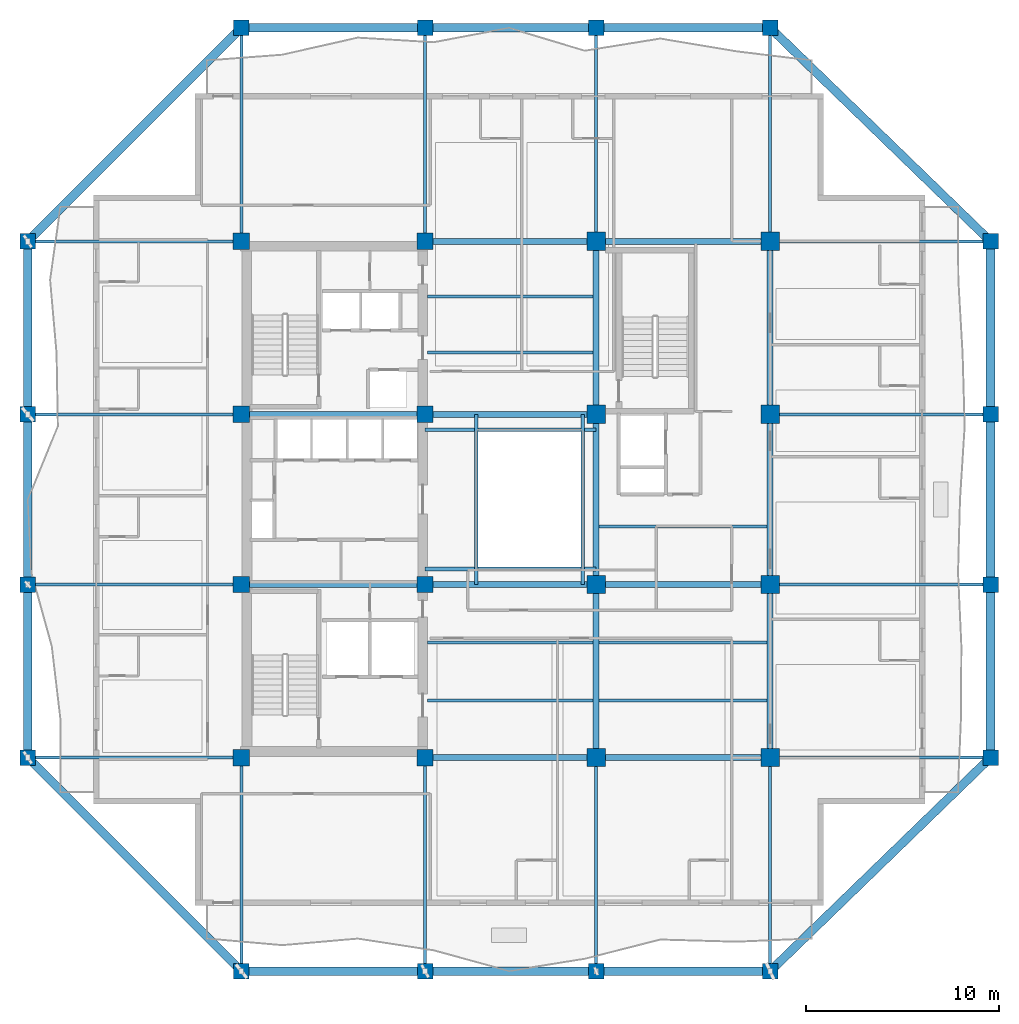
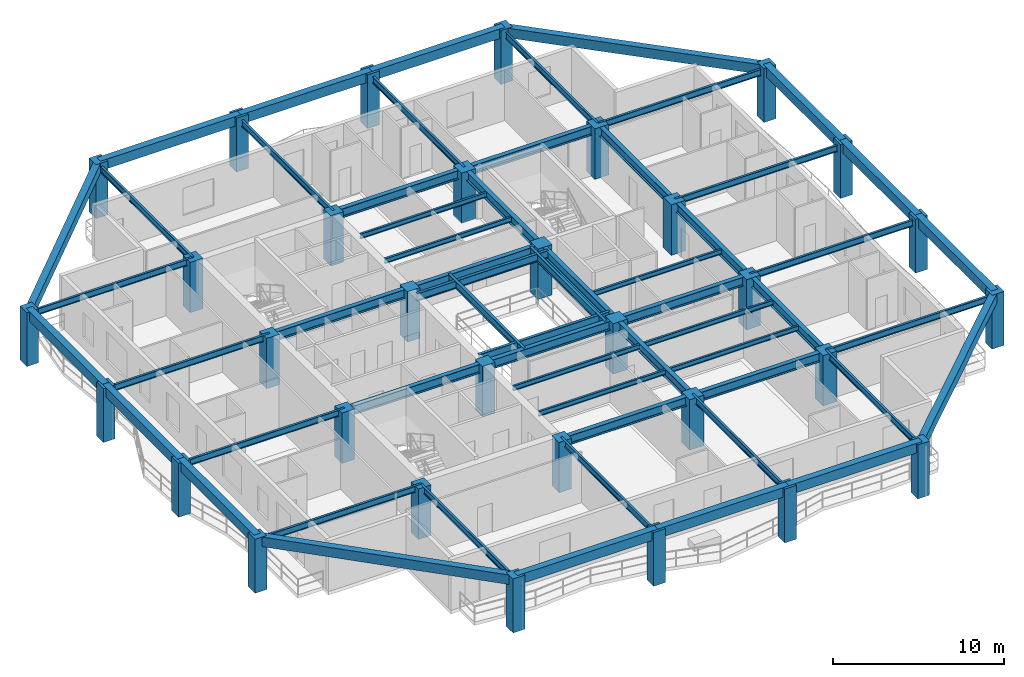
# One storey, part 1 of 13: 58 beams, 32 columns.
"""IFC4 building model written with IfcOpenShell, lengths in metres."""

from ifc_helpers import new_model, si_unit, direction, frame, origin, origin_2d, place, context, subcontext, project, spatial, rectangle, i_section, extrude, material, material_profile, profile_set, type_object, element, save


model = new_model("IFC4")

# Units and contexts
model_context = context("Model", 3, precision=1e-05, world=origin(), true_north=direction((0.0, 1.0)))
body_context = subcontext(model_context, "Body", "Model", "MODEL_VIEW")
ifc_project = project(units=[si_unit("LENGTHUNIT", "METRE"), si_unit("AREAUNIT", "SQUARE_METRE"), si_unit("VOLUMEUNIT", "CUBIC_METRE"), si_unit("PLANEANGLEUNIT", "RADIAN"), si_unit("MASSUNIT", "GRAM", prefix="KILO")], contexts=[model_context])

# Site, building, storey
site_placement = place(None, origin())
site = spatial("IfcSite", under=ifc_project, at=site_placement, CompositionType="ELEMENT")
building_placement = place(site_placement, origin())
building = spatial("IfcBuilding", under=site, at=building_placement, Name="Kundavana Baori Tower", CompositionType="ELEMENT")
storey_placement = place(building_placement, frame((0.0, 0.0, 165.60009765625)))
storey = spatial("IfcBuildingStorey", under=building, at=storey_placement, Name="L40", CompositionType="ELEMENT", Elevation=165.60009765625)

# Columns
ifc_material_1 = material(Name="Concrete C50/60", Category="concrete")
ifc_material_profile_1 = material_profile(ifc_material_1, rectangle(XDim=0.800048828125, YDim=0.800048828125, at=origin_2d()), Name="RC PF 800x800")
ifc_profile_set_1 = profile_set([ifc_material_profile_1], Name="Concrete C50/60")
column_type_1 = type_object("IfcColumnType", Name="COL-PF-800", PredefinedType="COLUMN", material=ifc_profile_set_1)
for number, where, z_axis, x_axis, name in (
    (1, (15.449951171875, 4.199951171875, 0.0), (0.0, 0.0, 1.0), (1.0, 0.0, 0.0), "L40 Stone-Clad Perimeter Frame Column PF-S1"),
    (2, (15.449951171875, 53.0, 0.0), (0.0, 0.0, 1.0), (1.0, 0.0, 0.0), "L40 Stone-Clad Perimeter Frame Column PF-N1"),
    (3, (24.949951171875, 4.199951171875, 0.0), (0.0, 0.0, 1.0), (1.0, 0.0, 0.0), "L40 Stone-Clad Perimeter Frame Column PF-S2"),
    (4, (24.949951171875, 53.0, 0.0), (0.0, 0.0, 1.0), (1.0, 0.0, 0.0), "L40 Stone-Clad Perimeter Frame Column PF-N2"),
    (5, (33.800048828125, 4.199951171875, 0.0), (0.0, 0.0, 1.0), (1.0, 0.0, 0.0), "L40 Stone-Clad Perimeter Frame Column PF-S3"),
    (6, (33.800048828125, 53.0, 0.0), (0.0, 0.0, 1.0), (1.0, 0.0, 0.0), "L40 Stone-Clad Perimeter Frame Column PF-N3"),
    (7, (42.800048828125, 4.199951171875, 0.0), (0.0, 0.0, 1.0), (1.0, 0.0, 0.0), "L40 Stone-Clad Perimeter Frame Column PF-S4"),
    (8, (42.800048828125, 53.0, 0.0), (0.0, 0.0, 1.0), (1.0, 0.0, 0.0), "L40 Stone-Clad Perimeter Frame Column PF-N4"),
    (9, (4.39990234375, 15.25, 0.0), (0.0, 0.0, 1.0), (1.0, 0.0, 0.0), "L40 Stone-Clad Perimeter Frame Column PF-W1"),
    (10, (54.199951171875, 15.25, 0.0), (0.0, 0.0, 1.0), (1.0, 0.0, 0.0), "L40 Stone-Clad Perimeter Frame Column PF-E1"),
    (11, (4.39990234375, 24.199951171875, 0.0), (0.0, 0.0, 1.0), (1.0, 0.0, 0.0), "L40 Stone-Clad Perimeter Frame Column PF-W2"),
    (12, (54.199951171875, 24.199951171875, 0.0), (0.0, 0.0, 1.0), (1.0, 0.0, 0.0), "L40 Stone-Clad Perimeter Frame Column PF-E2"),
    (13, (4.39990234375, 33.0, 0.0), (0.0, 0.0, 1.0), (1.0, 0.0, 0.0), "L40 Stone-Clad Perimeter Frame Column PF-W3"),
    (14, (54.199951171875, 33.0, 0.0), (0.0, 0.0, 1.0), (1.0, 0.0, 0.0), "L40 Stone-Clad Perimeter Frame Column PF-E3"),
    (15, (4.39990234375, 41.949951171875, 0.0), (0.0, 0.0, 1.0), (1.0, 0.0, 0.0), "L40 Stone-Clad Perimeter Frame Column PF-W4"),
    (16, (54.199951171875, 41.949951171875, 0.0), (0.0, 0.0, 1.0), (1.0, 0.0, 0.0), "L40 Stone-Clad Perimeter Frame Column PF-E4"),
):
    element("IfcColumn", number, at=place(storey_placement, frame(where, z_axis=z_axis, x_axis=x_axis)), inside=storey, type_object=column_type_1, Name=name, PredefinedType="COLUMN", context=body_context, shape_type="SweptSolid", body=[
        extrude(rectangle(XDim=0.800048828125, YDim=0.800048828125, at=origin_2d()), origin(), (0.0, 0.0, 1.0), 3.849853515625),
    ])
ifc_material_2 = material(Name="Concrete C50/60", Category="concrete")
ifc_material_profile_2 = material_profile(ifc_material_2, rectangle(XDim=0.85009765625, YDim=0.85009765625, at=origin_2d()), Name="RC 850x850")
ifc_profile_set_2 = profile_set([ifc_material_profile_2], Name="Concrete C50/60")
column_type_2 = type_object("IfcColumnType", Name="COL-RC-850", PredefinedType="COLUMN", material=ifc_profile_set_2)
for number, where, z_axis, x_axis, name in (
    (17, (15.449951171875, 15.25, 0.0), (0.0, 0.0, 1.0), (1.0, 0.0, 0.0), "L40 Interior Column IC-3C"),
    (18, (15.449951171875, 24.199951171875, 0.0), (0.0, 0.0, 1.0), (1.0, 0.0, 0.0), "L40 Interior Column IC-3D"),
    (19, (15.449951171875, 33.0, 0.0), (0.0, 0.0, 1.0), (1.0, 0.0, 0.0), "L40 Interior Column IC-3E"),
    (20, (15.449951171875, 41.949951171875, 0.0), (0.0, 0.0, 1.0), (1.0, 0.0, 0.0), "L40 Interior Column IC-3F"),
    (21, (24.949951171875, 15.25, 0.0), (0.0, 0.0, 1.0), (1.0, 0.0, 0.0), "L40 Interior Column IC-4C"),
    (22, (24.949951171875, 24.199951171875, 0.0), (0.0, 0.0, 1.0), (1.0, 0.0, 0.0), "L40 Interior Column IC-4D"),
    (23, (24.949951171875, 33.0, 0.0), (0.0, 0.0, 1.0), (1.0, 0.0, 0.0), "L40 Interior Column IC-4E"),
    (24, (24.949951171875, 41.949951171875, 0.0), (0.0, 0.0, 1.0), (1.0, 0.0, 0.0), "L40 Interior Column IC-4F"),
):
    element("IfcColumn", number, at=place(storey_placement, frame(where, z_axis=z_axis, x_axis=x_axis)), inside=storey, type_object=column_type_2, Name=name, PredefinedType="COLUMN", context=body_context, shape_type="SweptSolid", body=[
        extrude(rectangle(XDim=0.85009765625, YDim=0.85009765625, at=origin_2d()), origin(), (0.0, 0.0, 1.0), 3.599853515625),
    ])
ifc_material_3 = material(Name="Concrete C50/60", Category="concrete")
ifc_material_profile_3 = material_profile(ifc_material_3, rectangle(XDim=0.949951171875, YDim=0.949951171875, at=origin_2d()), Name="RC 950x950")
ifc_profile_set_3 = profile_set([ifc_material_profile_3], Name="Concrete C50/60")
column_type_3 = type_object("IfcColumnType", Name="COL-RC-950", PredefinedType="COLUMN", material=ifc_profile_set_3)
for number, where, z_axis, x_axis, name in (
    (25, (33.800048828125, 15.25, 0.0), (0.0, 0.0, 1.0), (1.0, 0.0, 0.0), "L40 Interior Column IC-5C"),
    (26, (33.800048828125, 24.199951171875, 0.0), (0.0, 0.0, 1.0), (1.0, 0.0, 0.0), "L40 Interior Column IC-5D"),
    (27, (33.800048828125, 33.0, 0.0), (0.0, 0.0, 1.0), (1.0, 0.0, 0.0), "L40 Interior Column IC-5E"),
    (28, (33.800048828125, 41.949951171875, 0.0), (0.0, 0.0, 1.0), (1.0, 0.0, 0.0), "L40 Interior Column IC-5F"),
    (29, (42.800048828125, 15.25, 0.0), (0.0, 0.0, 1.0), (1.0, 0.0, 0.0), "L40 Interior Column IC-6C"),
    (30, (42.800048828125, 24.199951171875, 0.0), (0.0, 0.0, 1.0), (1.0, 0.0, 0.0), "L40 Interior Column IC-6D"),
    (31, (42.800048828125, 33.0, 0.0), (0.0, 0.0, 1.0), (1.0, 0.0, 0.0), "L40 Interior Column IC-6E"),
    (32, (42.800048828125, 41.949951171875, 0.0), (0.0, 0.0, 1.0), (1.0, 0.0, 0.0), "L40 Interior Column IC-6F"),
):
    element("IfcColumn", number, at=place(storey_placement, frame(where, z_axis=z_axis, x_axis=x_axis)), inside=storey, type_object=column_type_3, Name=name, PredefinedType="COLUMN", context=body_context, shape_type="SweptSolid", body=[
        extrude(rectangle(XDim=0.949951171875, YDim=0.949951171875, at=origin_2d()), origin(), (0.0, 0.0, 1.0), 3.599853515625),
    ])

# Beams
ifc_material_4 = material(Name="Structural Steel S355JR", Category="steel")
ifc_material_profile_4 = material_profile(ifc_material_4, i_section(OverallWidth=0.139892578125, OverallDepth=0.35009765625, WebThickness=0.008056640625, FlangeThickness=0.01416015625, FilletRadius=0.013916015625, at=origin_2d()), Name="ISMB 350")
ifc_profile_set_4 = profile_set([ifc_material_profile_4], Name="Structural Steel S355JR")
beam_type_1 = type_object("IfcBeamType", Name="BM-JST-350", PredefinedType="JOIST", material=ifc_profile_set_4)
for number, where, z_axis, x_axis, name in (
    (33, (25.080078125, 18.199951171875, 3.4248046875), (1.0, 0.0, 0.0), (0.0, 1.0, 0.0), "L40 Central Bay Composite Floor Joist C1"),
    (34, (25.080078125, 21.199951171875, 3.4248046875), (1.0, 0.0, 0.0), (0.0, 1.0, 0.0), "L40 Central Bay Composite Floor Joist C2"),
    (35, (25.080078125, 36.199951171875, 3.4248046875), (1.0, 0.0, 0.0), (0.0, 1.0, 0.0), "L40 Central Bay Composite Floor Joist C3"),
    (36, (25.080078125, 39.10009765625, 3.4248046875), (1.0, 0.0, 0.0), (0.0, 1.0, 0.0), "L40 Central Bay Composite Floor Joist C4"),
):
    element("IfcBeam", number, at=place(storey_placement, frame(where, z_axis=z_axis, x_axis=x_axis)), inside=storey, type_object=beam_type_1, Name=name, PredefinedType="JOIST", context=body_context, shape_type="SweptSolid", body=[
        extrude(i_section(OverallWidth=0.139892578125, OverallDepth=0.35009765625, WebThickness=0.008056640625, FlangeThickness=0.01416015625, FilletRadius=0.013916015625, at=origin_2d()), origin(), (0.0, 0.0, 1.0), 8.56982421875),
    ])
for number, where, z_axis, x_axis, name in (
    (37, (33.949951171875, 18.199951171875, 3.4248046875), (1.0, 0.0, 0.0), (0.0, 1.0, 0.0), "L40 East Bay Composite Floor Joist E1"),
    (38, (33.949951171875, 21.199951171875, 3.4248046875), (1.0, 0.0, 0.0), (0.0, 1.0, 0.0), "L40 East Bay Composite Floor Joist E2"),
    (39, (33.949951171875, 27.199951171875, 3.4248046875), (1.0, 0.0, 0.0), (0.0, 1.0, 0.0), "L40 East Bay Composite Floor Joist E3"),
):
    element("IfcBeam", number, at=place(storey_placement, frame(where, z_axis=z_axis, x_axis=x_axis)), inside=storey, type_object=beam_type_1, Name=name, PredefinedType="JOIST", context=body_context, shape_type="SweptSolid", body=[
        extrude(i_section(OverallWidth=0.139892578125, OverallDepth=0.35009765625, WebThickness=0.008056640625, FlangeThickness=0.01416015625, FilletRadius=0.013916015625, at=origin_2d()), origin(), (0.0, 0.0, 1.0), 8.699951171875),
    ])
ifc_material_5 = material(Name="Concrete C50/60", Category="concrete")
ifc_material_profile_5 = material_profile(ifc_material_5, rectangle(XDim=0.449951171875, YDim=0.679931640625, at=origin_2d()), Name="RC BM 450x680")
ifc_profile_set_5 = profile_set([ifc_material_profile_5], Name="Concrete C50/60")
beam_type_2 = type_object("IfcBeamType", Name="BM-PF-680", PredefinedType="SPANDREL", material=ifc_profile_set_5)
beam_1_placement = place(storey_placement, frame((15.449951171875, 4.199951171875, 3.510009765625), z_axis=(1.0, 0.0, 0.0), x_axis=(0.0, 1.0, 0.0)))
element("IfcBeam", 40, at=beam_1_placement, inside=storey, type_object=beam_type_2, Name="L40 Perimeter Frame Ring Beam S1", PredefinedType="SPANDREL", context=body_context, shape_type="SweptSolid", body=[
    extrude(rectangle(XDim=0.449951171875, YDim=0.679931640625, at=origin_2d()), origin(), (0.0, 0.0, 1.0), 9.5),
])
beam_2_placement = place(storey_placement, frame((24.949951171875, 4.199951171875, 3.510009765625), z_axis=(1.0, 0.0, 0.0), x_axis=(0.0, 1.0, 0.0)))
element("IfcBeam", 41, at=beam_2_placement, inside=storey, type_object=beam_type_2, Name="L40 Perimeter Frame Ring Beam S2", PredefinedType="SPANDREL", context=body_context, shape_type="SweptSolid", body=[
    extrude(rectangle(XDim=0.449951171875, YDim=0.679931640625, at=origin_2d()), origin(), (0.0, 0.0, 1.0), 8.85009765625),
])
beam_3_placement = place(storey_placement, frame((33.800048828125, 4.199951171875, 3.510009765625), z_axis=(1.0, 0.0, 0.0), x_axis=(0.0, 1.0, 0.0)))
element("IfcBeam", 42, at=beam_3_placement, inside=storey, type_object=beam_type_2, Name="L40 Perimeter Frame Ring Beam S3", PredefinedType="SPANDREL", context=body_context, shape_type="SweptSolid", body=[
    extrude(rectangle(XDim=0.449951171875, YDim=0.679931640625, at=origin_2d()), origin(), (0.0, 0.0, 1.0), 9.0),
])
beam_4_placement = place(storey_placement, frame((15.449951171875, 53.0, 3.510009765625), z_axis=(1.0, 0.0, 0.0), x_axis=(0.0, 1.0, 0.0)))
element("IfcBeam", 43, at=beam_4_placement, inside=storey, type_object=beam_type_2, Name="L40 Perimeter Frame Ring Beam N1", PredefinedType="SPANDREL", context=body_context, shape_type="SweptSolid", body=[
    extrude(rectangle(XDim=0.449951171875, YDim=0.679931640625, at=origin_2d()), origin(), (0.0, 0.0, 1.0), 9.5),
])
beam_5_placement = place(storey_placement, frame((24.949951171875, 53.0, 3.510009765625), z_axis=(1.0, 0.0, 0.0), x_axis=(0.0, 1.0, 0.0)))
element("IfcBeam", 44, at=beam_5_placement, inside=storey, type_object=beam_type_2, Name="L40 Perimeter Frame Ring Beam N2", PredefinedType="SPANDREL", context=body_context, shape_type="SweptSolid", body=[
    extrude(rectangle(XDim=0.449951171875, YDim=0.679931640625, at=origin_2d()), origin(), (0.0, 0.0, 1.0), 8.85009765625),
])
beam_6_placement = place(storey_placement, frame((33.800048828125, 53.0, 3.510009765625), z_axis=(1.0, 0.0, 0.0), x_axis=(0.0, 1.0, 0.0)))
element("IfcBeam", 45, at=beam_6_placement, inside=storey, type_object=beam_type_2, Name="L40 Perimeter Frame Ring Beam N3", PredefinedType="SPANDREL", context=body_context, shape_type="SweptSolid", body=[
    extrude(rectangle(XDim=0.449951171875, YDim=0.679931640625, at=origin_2d()), origin(), (0.0, 0.0, 1.0), 9.0),
])
beam_7_placement = place(storey_placement, frame((4.39990234375, 15.25, 3.510009765625), z_axis=(0.0, 1.0, 0.0), x_axis=(-1.0, 0.0, 0.0)))
element("IfcBeam", 46, at=beam_7_placement, inside=storey, type_object=beam_type_2, Name="L40 Perimeter Frame Ring Beam W1", PredefinedType="SPANDREL", context=body_context, shape_type="SweptSolid", body=[
    extrude(rectangle(XDim=0.449951171875, YDim=0.679931640625, at=origin_2d()), origin(), (0.0, 0.0, 1.0), 8.949951171875),
])
beam_8_placement = place(storey_placement, frame((4.39990234375, 24.199951171875, 3.510009765625), z_axis=(0.0, 1.0, 0.0), x_axis=(-1.0, 0.0, 0.0)))
element("IfcBeam", 47, at=beam_8_placement, inside=storey, type_object=beam_type_2, Name="L40 Perimeter Frame Ring Beam W2", PredefinedType="SPANDREL", context=body_context, shape_type="SweptSolid", body=[
    extrude(rectangle(XDim=0.449951171875, YDim=0.679931640625, at=origin_2d()), origin(), (0.0, 0.0, 1.0), 8.800048828125),
])
for number, where, z_axis, x_axis, name in (
    (48, (4.39990234375, 33.0, 3.510009765625), (0.0, 1.0, 0.0), (-1.0, 0.0, 0.0), "L40 Perimeter Frame Ring Beam W3"),
    (49, (54.199951171875, 15.25, 3.510009765625), (0.0, 1.0, 0.0), (-1.0, 0.0, 0.0), "L40 Perimeter Frame Ring Beam E1"),
):
    element("IfcBeam", number, at=place(storey_placement, frame(where, z_axis=z_axis, x_axis=x_axis)), inside=storey, type_object=beam_type_2, Name=name, PredefinedType="SPANDREL", context=body_context, shape_type="SweptSolid", body=[
        extrude(rectangle(XDim=0.449951171875, YDim=0.679931640625, at=origin_2d()), origin(), (0.0, 0.0, 1.0), 8.949951171875),
    ])
beam_9_placement = place(storey_placement, frame((54.199951171875, 24.199951171875, 3.510009765625), z_axis=(0.0, 1.0, 0.0), x_axis=(-1.0, 0.0, 0.0)))
element("IfcBeam", 50, at=beam_9_placement, inside=storey, type_object=beam_type_2, Name="L40 Perimeter Frame Ring Beam E2", PredefinedType="SPANDREL", context=body_context, shape_type="SweptSolid", body=[
    extrude(rectangle(XDim=0.449951171875, YDim=0.679931640625, at=origin_2d()), origin(), (0.0, 0.0, 1.0), 8.800048828125),
])
beam_10_placement = place(storey_placement, frame((54.199951171875, 33.0, 3.510009765625), z_axis=(0.0, 1.0, 0.0), x_axis=(-1.0, 0.0, 0.0)))
element("IfcBeam", 51, at=beam_10_placement, inside=storey, type_object=beam_type_2, Name="L40 Perimeter Frame Ring Beam E3", PredefinedType="SPANDREL", context=body_context, shape_type="SweptSolid", body=[
    extrude(rectangle(XDim=0.449951171875, YDim=0.679931640625, at=origin_2d()), origin(), (0.0, 0.0, 1.0), 8.949951171875),
])
beam_11_placement = place(storey_placement, frame((15.449951171875, 4.199951171875, 3.510009765625), z_axis=(-0.707106781187, 0.707106781187, 0.0), x_axis=(-0.707106781187, -0.707106781187, 0.0)))
element("IfcBeam", 52, at=beam_11_placement, inside=storey, type_object=beam_type_2, Name="L40 Notched Corner Perimeter Beam SW", PredefinedType="SPANDREL", context=body_context, shape_type="SweptSolid", body=[
    extrude(rectangle(XDim=0.449951171875, YDim=0.679931640625, at=origin_2d()), origin(), (0.0, 0.0, 1.0), 15.627197265625),
])
beam_12_placement = place(storey_placement, frame((42.800048828125, 4.199951171875, 3.510009765625), z_axis=(0.718038944492, 0.696002926857, 0.0), x_axis=(-0.696002926857, 0.718038944492, 0.0)))
element("IfcBeam", 53, at=beam_12_placement, inside=storey, type_object=beam_type_2, Name="L40 Notched Corner Perimeter Beam SE", PredefinedType="SPANDREL", context=body_context, shape_type="SweptSolid", body=[
    extrude(rectangle(XDim=0.449951171875, YDim=0.679931640625, at=origin_2d()), origin(), (0.0, 0.0, 1.0), 15.87646484375),
])
beam_13_placement = place(storey_placement, frame((15.449951171875, 53.0, 3.510009765625), z_axis=(-0.707106781187, -0.707106781187, 0.0), x_axis=(0.707106781187, -0.707106781187, 0.0)))
element("IfcBeam", 54, at=beam_13_placement, inside=storey, type_object=beam_type_2, Name="L40 Notched Corner Perimeter Beam NW", PredefinedType="SPANDREL", context=body_context, shape_type="SweptSolid", body=[
    extrude(rectangle(XDim=0.449951171875, YDim=0.679931640625, at=origin_2d()), origin(), (0.0, 0.0, 1.0), 15.627197265625),
])
beam_14_placement = place(storey_placement, frame((42.800048828125, 53.0, 3.510009765625), z_axis=(0.718038944492, -0.696002926857, 0.0), x_axis=(0.696002926857, 0.718038944492, 0.0)))
element("IfcBeam", 55, at=beam_14_placement, inside=storey, type_object=beam_type_2, Name="L40 Notched Corner Perimeter Beam NE", PredefinedType="SPANDREL", context=body_context, shape_type="SweptSolid", body=[
    extrude(rectangle(XDim=0.449951171875, YDim=0.679931640625, at=origin_2d()), origin(), (0.0, 0.0, 1.0), 15.87646484375),
])
ifc_material_6 = material(Name="Structural Steel S355JR", Category="steel")
ifc_material_profile_6 = material_profile(ifc_material_6, i_section(OverallWidth=0.18994140625, OverallDepth=0.550048828125, WebThickness=0.01123046875, FlangeThickness=0.019287109375, FilletRadius=0.01806640625, at=origin_2d()), Name="ISMB 550")
ifc_profile_set_6 = profile_set([ifc_material_profile_6], Name="Structural Steel S355JR")
beam_type_3 = type_object("IfcBeamType", Name="BM-ST-550", PredefinedType="BEAM", material=ifc_profile_set_6)
for number, where, z_axis, x_axis, name in (
    (56, (27.60009765625, 24.199951171875, 3.324951171875), (0.0, 1.0, 0.0), (-1.0, 0.0, 0.0), "L40 Atrium West Edge Beam"),
    (57, (33.10009765625, 24.199951171875, 3.324951171875), (0.0, 1.0, 0.0), (-1.0, 0.0, 0.0), "L40 Atrium East Edge Beam"),
):
    element("IfcBeam", number, at=place(storey_placement, frame(where, z_axis=z_axis, x_axis=x_axis)), inside=storey, type_object=beam_type_3, Name=name, PredefinedType="BEAM", context=body_context, shape_type="SweptSolid", body=[
        extrude(i_section(OverallWidth=0.18994140625, OverallDepth=0.550048828125, WebThickness=0.01123046875, FlangeThickness=0.019287109375, FilletRadius=0.01806640625, at=origin_2d()), origin(), (0.0, 0.0, 1.0), 8.800048828125),
    ])
for number, where, z_axis, x_axis, name in (
    (58, (24.949951171875, 25.0, 3.324951171875), (1.0, 0.0, 0.0), (0.0, 1.0, 0.0), "L40 Atrium South Edge Beam"),
    (59, (24.949951171875, 32.199951171875, 3.324951171875), (1.0, 0.0, 0.0), (0.0, 1.0, 0.0), "L40 Atrium North Edge Beam"),
):
    element("IfcBeam", number, at=place(storey_placement, frame(where, z_axis=z_axis, x_axis=x_axis)), inside=storey, type_object=beam_type_3, Name=name, PredefinedType="BEAM", context=body_context, shape_type="SweptSolid", body=[
        extrude(i_section(OverallWidth=0.18994140625, OverallDepth=0.550048828125, WebThickness=0.01123046875, FlangeThickness=0.019287109375, FilletRadius=0.01806640625, at=origin_2d()), origin(), (0.0, 0.0, 1.0), 8.85009765625),
    ])
ifc_material_7 = material(Name="Structural Steel S355JR", Category="steel")
ifc_material_profile_7 = material_profile(ifc_material_7, i_section(OverallWidth=0.300048828125, OverallDepth=0.64990234375, WebThickness=0.013427734375, FlangeThickness=0.02197265625, FilletRadius=0.02392578125, at=origin_2d()), Name="NPB 650x300x155")
ifc_profile_set_7 = profile_set([ifc_material_profile_7], Name="Structural Steel S355JR")
beam_type_4 = type_object("IfcBeamType", Name="BM-ST-650", PredefinedType="BEAM", material=ifc_profile_set_7)
beam_15_placement = place(storey_placement, frame((24.949951171875, 15.25, 3.27490234375), z_axis=(1.0, 0.0, 0.0), x_axis=(0.0, 1.0, 0.0)))
element("IfcBeam", 60, at=beam_15_placement, inside=storey, type_object=beam_type_4, Name="L40 Primary Grid Girder GX-1-2", PredefinedType="BEAM", context=body_context, shape_type="SweptSolid", body=[
    extrude(i_section(OverallWidth=0.300048828125, OverallDepth=0.64990234375, WebThickness=0.013427734375, FlangeThickness=0.02197265625, FilletRadius=0.02392578125, at=origin_2d()), origin(), (0.0, 0.0, 1.0), 8.85009765625),
])
beam_16_placement = place(storey_placement, frame((33.800048828125, 15.25, 3.27490234375), z_axis=(1.0, 0.0, 0.0), x_axis=(0.0, 1.0, 0.0)))
element("IfcBeam", 61, at=beam_16_placement, inside=storey, type_object=beam_type_4, Name="L40 Primary Grid Girder GX-1-3", PredefinedType="BEAM", context=body_context, shape_type="SweptSolid", body=[
    extrude(i_section(OverallWidth=0.300048828125, OverallDepth=0.64990234375, WebThickness=0.013427734375, FlangeThickness=0.02197265625, FilletRadius=0.02392578125, at=origin_2d()), origin(), (0.0, 0.0, 1.0), 9.0),
])
beam_17_placement = place(storey_placement, frame((15.449951171875, 24.199951171875, 3.27490234375), z_axis=(1.0, 0.0, 0.0), x_axis=(0.0, 1.0, 0.0)))
element("IfcBeam", 62, at=beam_17_placement, inside=storey, type_object=beam_type_4, Name="L40 Primary Grid Girder GX-2-1", PredefinedType="BEAM", context=body_context, shape_type="SweptSolid", body=[
    extrude(i_section(OverallWidth=0.300048828125, OverallDepth=0.64990234375, WebThickness=0.013427734375, FlangeThickness=0.02197265625, FilletRadius=0.02392578125, at=origin_2d()), origin(), (0.0, 0.0, 1.0), 9.5),
])
beam_18_placement = place(storey_placement, frame((24.949951171875, 24.199951171875, 3.27490234375), z_axis=(1.0, 0.0, 0.0), x_axis=(0.0, 1.0, 0.0)))
element("IfcBeam", 63, at=beam_18_placement, inside=storey, type_object=beam_type_4, Name="L40 Primary Grid Girder GX-2-2", PredefinedType="BEAM", context=body_context, shape_type="SweptSolid", body=[
    extrude(i_section(OverallWidth=0.300048828125, OverallDepth=0.64990234375, WebThickness=0.013427734375, FlangeThickness=0.02197265625, FilletRadius=0.02392578125, at=origin_2d()), origin(), (0.0, 0.0, 1.0), 8.85009765625),
])
beam_19_placement = place(storey_placement, frame((33.800048828125, 24.199951171875, 3.27490234375), z_axis=(1.0, 0.0, 0.0), x_axis=(0.0, 1.0, 0.0)))
element("IfcBeam", 64, at=beam_19_placement, inside=storey, type_object=beam_type_4, Name="L40 Primary Grid Girder GX-2-3", PredefinedType="BEAM", context=body_context, shape_type="SweptSolid", body=[
    extrude(i_section(OverallWidth=0.300048828125, OverallDepth=0.64990234375, WebThickness=0.013427734375, FlangeThickness=0.02197265625, FilletRadius=0.02392578125, at=origin_2d()), origin(), (0.0, 0.0, 1.0), 9.0),
])
beam_20_placement = place(storey_placement, frame((15.449951171875, 33.0, 3.27490234375), z_axis=(1.0, 0.0, 0.0), x_axis=(0.0, 1.0, 0.0)))
element("IfcBeam", 65, at=beam_20_placement, inside=storey, type_object=beam_type_4, Name="L40 Primary Grid Girder GX-3-1", PredefinedType="BEAM", context=body_context, shape_type="SweptSolid", body=[
    extrude(i_section(OverallWidth=0.300048828125, OverallDepth=0.64990234375, WebThickness=0.013427734375, FlangeThickness=0.02197265625, FilletRadius=0.02392578125, at=origin_2d()), origin(), (0.0, 0.0, 1.0), 9.5),
])
for number, where, z_axis, x_axis, name in (
    (66, (24.949951171875, 33.0, 3.27490234375), (1.0, 0.0, 0.0), (0.0, 1.0, 0.0), "L40 Primary Grid Girder GX-3-2"),
    (67, (24.949951171875, 41.949951171875, 3.27490234375), (1.0, 0.0, 0.0), (0.0, 1.0, 0.0), "L40 Primary Grid Girder GX-4-2"),
):
    element("IfcBeam", number, at=place(storey_placement, frame(where, z_axis=z_axis, x_axis=x_axis)), inside=storey, type_object=beam_type_4, Name=name, PredefinedType="BEAM", context=body_context, shape_type="SweptSolid", body=[
        extrude(i_section(OverallWidth=0.300048828125, OverallDepth=0.64990234375, WebThickness=0.013427734375, FlangeThickness=0.02197265625, FilletRadius=0.02392578125, at=origin_2d()), origin(), (0.0, 0.0, 1.0), 8.85009765625),
    ])
beam_21_placement = place(storey_placement, frame((33.800048828125, 41.949951171875, 3.27490234375), z_axis=(1.0, 0.0, 0.0), x_axis=(0.0, 1.0, 0.0)))
element("IfcBeam", 68, at=beam_21_placement, inside=storey, type_object=beam_type_4, Name="L40 Primary Grid Girder GX-4-3", PredefinedType="BEAM", context=body_context, shape_type="SweptSolid", body=[
    extrude(i_section(OverallWidth=0.300048828125, OverallDepth=0.64990234375, WebThickness=0.013427734375, FlangeThickness=0.02197265625, FilletRadius=0.02392578125, at=origin_2d()), origin(), (0.0, 0.0, 1.0), 9.0),
])
beam_22_placement = place(storey_placement, frame((33.800048828125, 15.25, 3.27490234375), z_axis=(0.0, 1.0, 0.0), x_axis=(-1.0, 0.0, 0.0)))
element("IfcBeam", 69, at=beam_22_placement, inside=storey, type_object=beam_type_4, Name="L40 Primary Grid Girder GY-3-1", PredefinedType="BEAM", context=body_context, shape_type="SweptSolid", body=[
    extrude(i_section(OverallWidth=0.300048828125, OverallDepth=0.64990234375, WebThickness=0.013427734375, FlangeThickness=0.02197265625, FilletRadius=0.02392578125, at=origin_2d()), origin(), (0.0, 0.0, 1.0), 8.949951171875),
])
beam_23_placement = place(storey_placement, frame((33.800048828125, 24.199951171875, 3.27490234375), z_axis=(0.0, 1.0, 0.0), x_axis=(-1.0, 0.0, 0.0)))
element("IfcBeam", 70, at=beam_23_placement, inside=storey, type_object=beam_type_4, Name="L40 Primary Grid Girder GY-3-2", PredefinedType="BEAM", context=body_context, shape_type="SweptSolid", body=[
    extrude(i_section(OverallWidth=0.300048828125, OverallDepth=0.64990234375, WebThickness=0.013427734375, FlangeThickness=0.02197265625, FilletRadius=0.02392578125, at=origin_2d()), origin(), (0.0, 0.0, 1.0), 8.800048828125),
])
for number, where, z_axis, x_axis, name in (
    (71, (33.800048828125, 33.0, 3.27490234375), (0.0, 1.0, 0.0), (-1.0, 0.0, 0.0), "L40 Primary Grid Girder GY-3-3"),
    (72, (42.800048828125, 15.25, 3.27490234375), (0.0, 1.0, 0.0), (-1.0, 0.0, 0.0), "L40 Primary Grid Girder GY-4-1"),
):
    element("IfcBeam", number, at=place(storey_placement, frame(where, z_axis=z_axis, x_axis=x_axis)), inside=storey, type_object=beam_type_4, Name=name, PredefinedType="BEAM", context=body_context, shape_type="SweptSolid", body=[
        extrude(i_section(OverallWidth=0.300048828125, OverallDepth=0.64990234375, WebThickness=0.013427734375, FlangeThickness=0.02197265625, FilletRadius=0.02392578125, at=origin_2d()), origin(), (0.0, 0.0, 1.0), 8.949951171875),
    ])
beam_24_placement = place(storey_placement, frame((42.800048828125, 24.199951171875, 3.27490234375), z_axis=(0.0, 1.0, 0.0), x_axis=(-1.0, 0.0, 0.0)))
element("IfcBeam", 73, at=beam_24_placement, inside=storey, type_object=beam_type_4, Name="L40 Primary Grid Girder GY-4-2", PredefinedType="BEAM", context=body_context, shape_type="SweptSolid", body=[
    extrude(i_section(OverallWidth=0.300048828125, OverallDepth=0.64990234375, WebThickness=0.013427734375, FlangeThickness=0.02197265625, FilletRadius=0.02392578125, at=origin_2d()), origin(), (0.0, 0.0, 1.0), 8.800048828125),
])
beam_25_placement = place(storey_placement, frame((42.800048828125, 33.0, 3.27490234375), z_axis=(0.0, 1.0, 0.0), x_axis=(-1.0, 0.0, 0.0)))
element("IfcBeam", 74, at=beam_25_placement, inside=storey, type_object=beam_type_4, Name="L40 Primary Grid Girder GY-4-3", PredefinedType="BEAM", context=body_context, shape_type="SweptSolid", body=[
    extrude(i_section(OverallWidth=0.300048828125, OverallDepth=0.64990234375, WebThickness=0.013427734375, FlangeThickness=0.02197265625, FilletRadius=0.02392578125, at=origin_2d()), origin(), (0.0, 0.0, 1.0), 8.949951171875),
])
ifc_material_8 = material(Name="Structural Steel S355JR", Category="steel")
ifc_material_profile_8 = material_profile(ifc_material_8, i_section(OverallWidth=0.14990234375, OverallDepth=0.449951171875, WebThickness=0.009521484375, FlangeThickness=0.017333984375, FilletRadius=0.014892578125, at=origin_2d()), Name="ISMB 450")
ifc_profile_set_8 = profile_set([ifc_material_profile_8], Name="Structural Steel S355JR")
beam_type_5 = type_object("IfcBeamType", Name="BM-TIE-450", PredefinedType="BEAM", material=ifc_profile_set_8)
for number, where, z_axis, x_axis, name in (
    (75, (15.449951171875, 15.25, 3.375), (0.0, -1.0, 0.0), (1.0, 0.0, 0.0), "L40 South Radial Loggia Tie Beam S1"),
    (76, (15.449951171875, 41.949951171875, 3.375), (0.0, 1.0, 0.0), (-1.0, 0.0, 0.0), "L40 North Radial Loggia Tie Beam N1"),
    (77, (24.949951171875, 15.25, 3.375), (0.0, -1.0, 0.0), (1.0, 0.0, 0.0), "L40 South Radial Loggia Tie Beam S2"),
    (78, (24.949951171875, 41.949951171875, 3.375), (0.0, 1.0, 0.0), (-1.0, 0.0, 0.0), "L40 North Radial Loggia Tie Beam N2"),
    (79, (33.800048828125, 15.25, 3.375), (0.0, -1.0, 0.0), (1.0, 0.0, 0.0), "L40 South Radial Loggia Tie Beam S3"),
    (80, (33.800048828125, 41.949951171875, 3.375), (0.0, 1.0, 0.0), (-1.0, 0.0, 0.0), "L40 North Radial Loggia Tie Beam N3"),
    (81, (42.800048828125, 15.25, 3.375), (0.0, -1.0, 0.0), (1.0, 0.0, 0.0), "L40 South Radial Loggia Tie Beam S4"),
    (82, (42.800048828125, 41.949951171875, 3.375), (0.0, 1.0, 0.0), (-1.0, 0.0, 0.0), "L40 North Radial Loggia Tie Beam N4"),
    (83, (15.449951171875, 15.25, 3.375), (-1.0, 0.0, 0.0), (0.0, -1.0, 0.0), "L40 West Radial Loggia Tie Beam W1"),
):
    element("IfcBeam", number, at=place(storey_placement, frame(where, z_axis=z_axis, x_axis=x_axis)), inside=storey, type_object=beam_type_5, Name=name, PredefinedType="BEAM", context=body_context, shape_type="SweptSolid", body=[
        extrude(i_section(OverallWidth=0.14990234375, OverallDepth=0.449951171875, WebThickness=0.009521484375, FlangeThickness=0.017333984375, FilletRadius=0.014892578125, at=origin_2d()), origin(), (0.0, 0.0, 1.0), 11.050048828125),
    ])
beam_26_placement = place(storey_placement, frame((42.800048828125, 15.25, 3.375), z_axis=(1.0, 0.0, 0.0), x_axis=(0.0, 1.0, 0.0)))
element("IfcBeam", 84, at=beam_26_placement, inside=storey, type_object=beam_type_5, Name="L40 East Radial Loggia Tie Beam E1", PredefinedType="BEAM", context=body_context, shape_type="SweptSolid", body=[
    extrude(i_section(OverallWidth=0.14990234375, OverallDepth=0.449951171875, WebThickness=0.009521484375, FlangeThickness=0.017333984375, FilletRadius=0.014892578125, at=origin_2d()), origin(), (0.0, 0.0, 1.0), 11.39990234375),
])
beam_27_placement = place(storey_placement, frame((15.449951171875, 24.199951171875, 3.375), z_axis=(-1.0, 0.0, 0.0), x_axis=(0.0, -1.0, 0.0)))
element("IfcBeam", 85, at=beam_27_placement, inside=storey, type_object=beam_type_5, Name="L40 West Radial Loggia Tie Beam W2", PredefinedType="BEAM", context=body_context, shape_type="SweptSolid", body=[
    extrude(i_section(OverallWidth=0.14990234375, OverallDepth=0.449951171875, WebThickness=0.009521484375, FlangeThickness=0.017333984375, FilletRadius=0.014892578125, at=origin_2d()), origin(), (0.0, 0.0, 1.0), 11.050048828125),
])
beam_28_placement = place(storey_placement, frame((42.800048828125, 24.199951171875, 3.375), z_axis=(1.0, 0.0, 0.0), x_axis=(0.0, 1.0, 0.0)))
element("IfcBeam", 86, at=beam_28_placement, inside=storey, type_object=beam_type_5, Name="L40 East Radial Loggia Tie Beam E2", PredefinedType="BEAM", context=body_context, shape_type="SweptSolid", body=[
    extrude(i_section(OverallWidth=0.14990234375, OverallDepth=0.449951171875, WebThickness=0.009521484375, FlangeThickness=0.017333984375, FilletRadius=0.014892578125, at=origin_2d()), origin(), (0.0, 0.0, 1.0), 11.39990234375),
])
beam_29_placement = place(storey_placement, frame((15.449951171875, 33.0, 3.375), z_axis=(-1.0, 0.0, 0.0), x_axis=(0.0, -1.0, 0.0)))
element("IfcBeam", 87, at=beam_29_placement, inside=storey, type_object=beam_type_5, Name="L40 West Radial Loggia Tie Beam W3", PredefinedType="BEAM", context=body_context, shape_type="SweptSolid", body=[
    extrude(i_section(OverallWidth=0.14990234375, OverallDepth=0.449951171875, WebThickness=0.009521484375, FlangeThickness=0.017333984375, FilletRadius=0.014892578125, at=origin_2d()), origin(), (0.0, 0.0, 1.0), 11.050048828125),
])
beam_30_placement = place(storey_placement, frame((42.800048828125, 33.0, 3.375), z_axis=(1.0, 0.0, 0.0), x_axis=(0.0, 1.0, 0.0)))
element("IfcBeam", 88, at=beam_30_placement, inside=storey, type_object=beam_type_5, Name="L40 East Radial Loggia Tie Beam E3", PredefinedType="BEAM", context=body_context, shape_type="SweptSolid", body=[
    extrude(i_section(OverallWidth=0.14990234375, OverallDepth=0.449951171875, WebThickness=0.009521484375, FlangeThickness=0.017333984375, FilletRadius=0.014892578125, at=origin_2d()), origin(), (0.0, 0.0, 1.0), 11.39990234375),
])
beam_31_placement = place(storey_placement, frame((15.449951171875, 41.949951171875, 3.375), z_axis=(-1.0, 0.0, 0.0), x_axis=(0.0, -1.0, 0.0)))
element("IfcBeam", 89, at=beam_31_placement, inside=storey, type_object=beam_type_5, Name="L40 West Radial Loggia Tie Beam W4", PredefinedType="BEAM", context=body_context, shape_type="SweptSolid", body=[
    extrude(i_section(OverallWidth=0.14990234375, OverallDepth=0.449951171875, WebThickness=0.009521484375, FlangeThickness=0.017333984375, FilletRadius=0.014892578125, at=origin_2d()), origin(), (0.0, 0.0, 1.0), 11.050048828125),
])
beam_32_placement = place(storey_placement, frame((42.800048828125, 41.949951171875, 3.375), z_axis=(1.0, 0.0, 0.0), x_axis=(0.0, 1.0, 0.0)))
element("IfcBeam", 90, at=beam_32_placement, inside=storey, type_object=beam_type_5, Name="L40 East Radial Loggia Tie Beam E4", PredefinedType="BEAM", context=body_context, shape_type="SweptSolid", body=[
    extrude(i_section(OverallWidth=0.14990234375, OverallDepth=0.449951171875, WebThickness=0.009521484375, FlangeThickness=0.017333984375, FilletRadius=0.014892578125, at=origin_2d()), origin(), (0.0, 0.0, 1.0), 11.39990234375),
])

save(model, "model.ifc")
